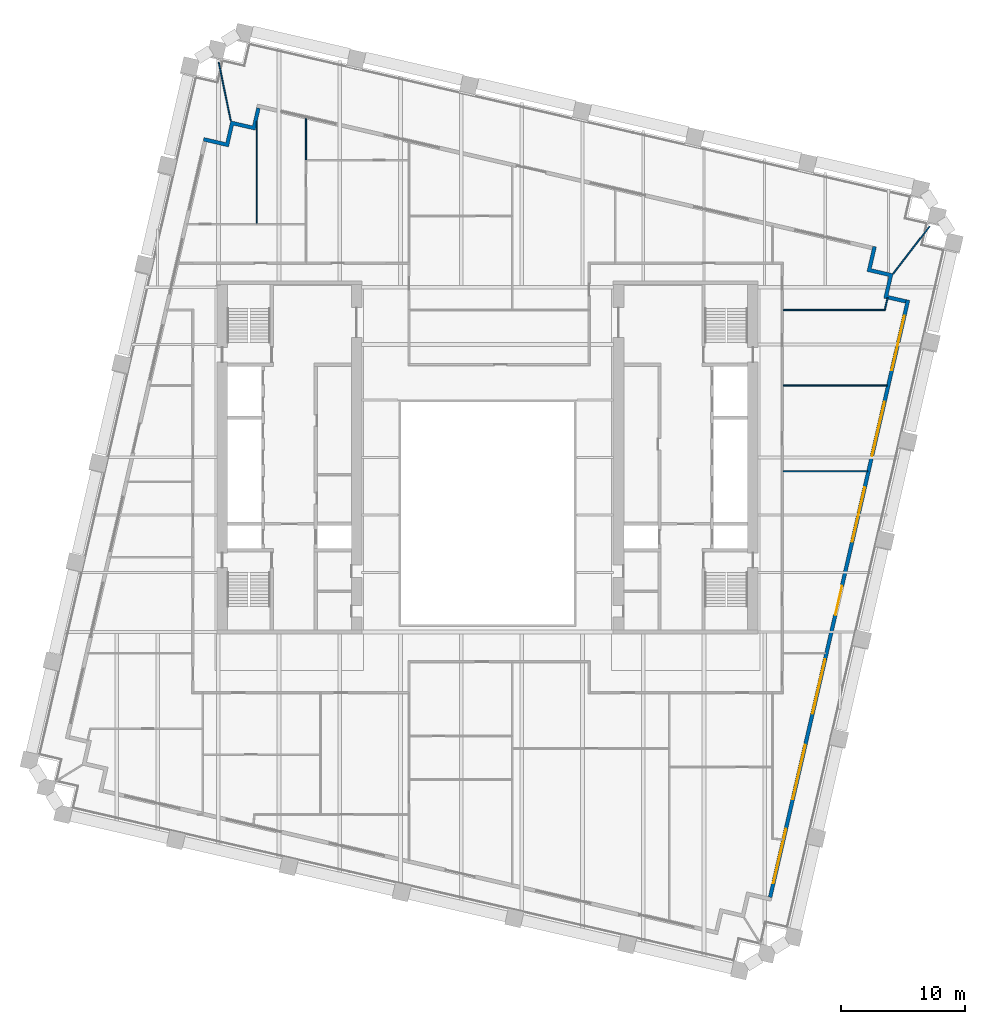
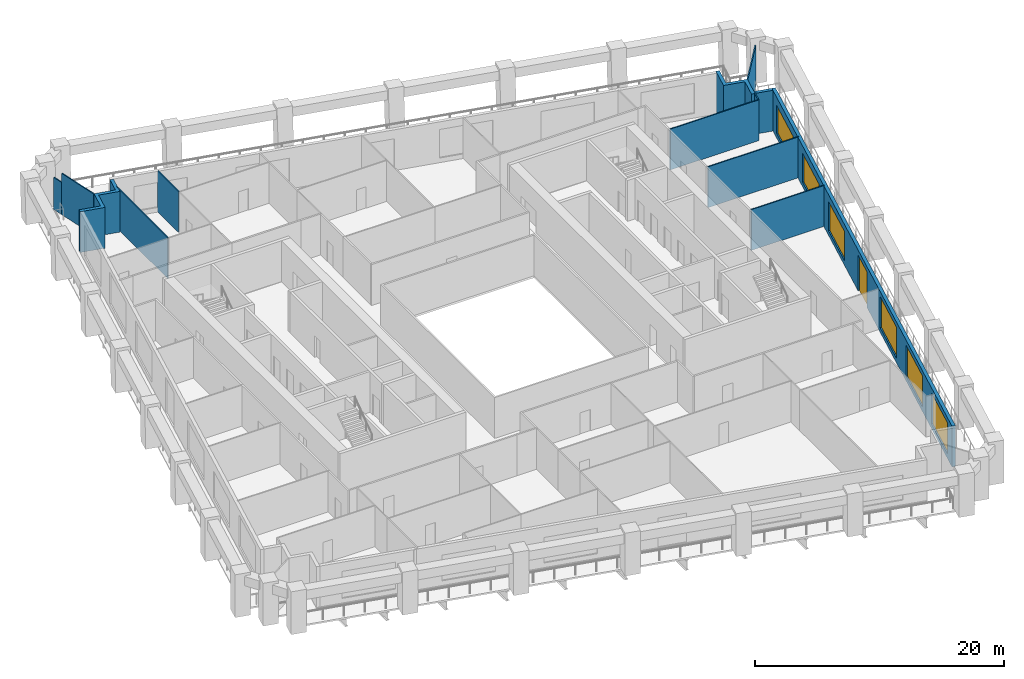
# One storey, part 9 of 12: 12 walls, 6 windows, 1 door, 7 openings.
"""IFC4 building model written with IfcOpenShell, lengths in metres."""

from ifc_helpers import new_model, si_unit, direction, frame, frame_2d, origin, place, context, subcontext, project, spatial, polyline, rectangle, outline, extrude, material, layer, layer_set, type_object, element, fill, save


model = new_model("IFC4")

# Units and contexts
model_context = context("Model", 3, precision=1e-05, world=origin(), true_north=direction((0.0, 1.0)))
body_context = subcontext(model_context, "Body", "Model", "MODEL_VIEW")
ifc_project = project(units=[si_unit("LENGTHUNIT", "METRE"), si_unit("AREAUNIT", "SQUARE_METRE"), si_unit("VOLUMEUNIT", "CUBIC_METRE"), si_unit("PLANEANGLEUNIT", "RADIAN"), si_unit("MASSUNIT", "GRAM", prefix="KILO")], contexts=[model_context])

# Site, building, storey
site_placement = place(None, origin())
site = spatial("IfcSite", under=ifc_project, at=site_placement, CompositionType="ELEMENT")
building_placement = place(site_placement, origin())
building = spatial("IfcBuilding", under=site, at=building_placement, Name="Ogive Exchange Tower", CompositionType="ELEMENT")
storey_placement = place(building_placement, frame((0.0, 0.0, 130.800048828125)))
storey = spatial("IfcBuildingStorey", under=building, at=storey_placement, Name="L28", CompositionType="ELEMENT", Elevation=130.800048828125)

# Wall, openings, door, windows
ifc_material_1 = material(Name="Precast concrete C40/50", Category="concrete")
ifc_layer_1 = layer(ifc_material_1, 0.300048828125)
ifc_layer_set_1 = layer_set([ifc_layer_1], Name="Limestone-faced wall 300")
wall_type_1 = type_object("IfcWallType", Name="Limestone-faced wall 300", PredefinedType="STANDARD", material=ifc_layer_set_1)
wall_1_placement = place(storey_placement, frame((22.8203125, -24.015625, 0.0), z_axis=(0.0, 0.0, 1.0), x_axis=(0.224953880882, 0.974369412223, 0.0)))
wall_1 = element("IfcWall", 1, at=wall_1_placement, inside=storey, type_object=wall_type_1, Name="External wall E2", PredefinedType="STANDARD", context=body_context, shape_type="SweptSolid", body=[
    extrude(rectangle(XDim=49.500244140625, YDim=0.300048828125, at=frame_2d((24.75, 0.0))), origin(), (0.0, 0.0, 1.0), 4.0),
])
opening_1_placement = place(wall_1_placement, frame((1.156982421875, 0.0, 0.449951171875)))
opening_1 = element("IfcOpeningElement", 2, at=opening_1_placement, cuts=wall_1, Name="Opening W1", PredefinedType="OPENING", context=body_context, shape_type="SweptSolid", body=[
    extrude(rectangle(XDim=4.5, YDim=3.050048828125, at=frame_2d((2.25, 1.52490234375))), frame((0.0, 0.159912109375, 0.0), z_axis=(0.0, -1.0, 0.0), x_axis=(1.0, 0.0, 0.0)), (0.0, 0.0, 1.0), 0.320068359375),
])
opening_2_placement = place(wall_1_placement, frame((8.121337890625, 0.0, 0.449951171875)))
opening_2 = element("IfcOpeningElement", 3, at=opening_2_placement, cuts=wall_1, Name="Opening W1", PredefinedType="OPENING", context=body_context, shape_type="SweptSolid", body=[
    extrude(rectangle(XDim=4.5, YDim=3.050048828125, at=frame_2d((2.25, 1.52490234375))), frame((0.0, 0.159912109375, 0.0), z_axis=(0.0, -1.0, 0.0), x_axis=(1.0, 0.0, 0.0)), (0.0, 0.0, 1.0), 0.320068359375),
])
opening_3_placement = place(wall_1_placement, frame((15.235595703125, 0.0, 0.449951171875)))
opening_3 = element("IfcOpeningElement", 4, at=opening_3_placement, cuts=wall_1, Name="Opening W1", PredefinedType="OPENING", context=body_context, shape_type="SweptSolid", body=[
    extrude(rectangle(XDim=4.5, YDim=3.050048828125, at=frame_2d((2.25, 1.52490234375))), frame((0.0, 0.159912109375, 0.0), z_axis=(0.0, -1.0, 0.0), x_axis=(1.0, 0.0, 0.0)), (0.0, 0.0, 1.0), 0.320068359375),
])
opening_4_placement = place(wall_1_placement, frame((23.39990234375, 0.0, 0.0)))
opening_4 = element("IfcOpeningElement", 5, at=opening_4_placement, cuts=wall_1, Name="Opening D1", PredefinedType="OPENING", context=body_context, shape_type="SweptSolid", body=[
    extrude(rectangle(XDim=2.39990234375, YDim=3.5, at=frame_2d((1.199951171875, 1.75))), frame((0.0, 0.159912109375, 0.0), z_axis=(0.0, -1.0, 0.0), x_axis=(1.0, 0.0, 0.0)), (0.0, 0.0, 1.0), 0.320068359375),
])
opening_5_placement = place(wall_1_placement, frame((29.464111328125, 0.0, 0.449951171875)))
opening_5 = element("IfcOpeningElement", 6, at=opening_5_placement, cuts=wall_1, Name="Opening W1D", PredefinedType="OPENING", context=body_context, shape_type="SweptSolid", body=[
    extrude(rectangle(XDim=4.5, YDim=2.875, at=frame_2d((2.25, 1.4375))), frame((0.0, 0.159912109375, 0.0), z_axis=(0.0, -1.0, 0.0), x_axis=(1.0, 0.0, 0.0)), (0.0, 0.0, 1.0), 0.320068359375),
])
opening_6_placement = place(wall_1_placement, frame((36.57861328125, 0.0, 0.449951171875)))
opening_6 = element("IfcOpeningElement", 7, at=opening_6_placement, cuts=wall_1, Name="Opening W1E", PredefinedType="OPENING", context=body_context, shape_type="SweptSolid", body=[
    extrude(rectangle(XDim=4.5, YDim=2.824951171875, at=frame_2d((2.25, 1.41259765625))), frame((0.0, 0.159912109375, 0.0), z_axis=(0.0, -1.0, 0.0), x_axis=(1.0, 0.0, 0.0)), (0.0, 0.0, 1.0), 0.320068359375),
])
opening_7_placement = place(wall_1_placement, frame((43.69287109375, 0.0, 0.449951171875)))
opening_7 = element("IfcOpeningElement", 8, at=opening_7_placement, cuts=wall_1, Name="Opening W1H", PredefinedType="OPENING", context=body_context, shape_type="SweptSolid", body=[
    extrude(rectangle(XDim=4.5, YDim=2.75, at=frame_2d((2.25, 1.375))), frame((0.0, 0.159912109375, 0.0), z_axis=(0.0, -1.0, 0.0), x_axis=(1.0, 0.0, 0.0)), (0.0, 0.0, 1.0), 0.320068359375),
])
ifc_material_2 = material(Name="Clear glass in bronze frame", Category="glass")
door_type = type_object("IfcDoorType", Name="Sliding loggia door 2400 x 3500", OperationType="DOUBLE_DOOR_SLIDING", PredefinedType="DOOR", material=ifc_material_2)
door_placement = place(opening_4_placement, origin())
door = element("IfcDoor", 9, at=door_placement, inside=storey, type_object=door_type, Name="Loggia door E03", OperationType="DOUBLE_DOOR_SLIDING", OverallHeight=3.5, OverallWidth=2.39990234375, PredefinedType="DOOR", context=body_context, shape_type="SweptSolid", body=[
    extrude(rectangle(XDim=2.39990234375, YDim=3.5, at=frame_2d((1.199951171875, 1.75))), frame((0.0, 0.02490234375, 0.0), z_axis=(0.0, -1.0, 0.0), x_axis=(1.0, 0.0, 0.0)), (0.0, 0.0, 1.0), 0.050048828125),
])
fill(opening_4, door)
window_type_1 = type_object("IfcWindowType", Name="Twin lancet window 4500 x 2750", PartitioningType="DOUBLE_PANEL_VERTICAL", PredefinedType="WINDOW", material=ifc_material_2)
window_1_placement = place(opening_7_placement, origin())
window_1 = element("IfcWindow", 10, at=window_1_placement, inside=storey, type_object=window_type_1, Name="Window E06", OverallHeight=2.75, OverallWidth=4.5, PartitioningType="DOUBLE_PANEL_VERTICAL", PredefinedType="WINDOW", context=body_context, shape_type="SweptSolid", body=[
    extrude(rectangle(XDim=4.5, YDim=2.75, at=frame_2d((2.25, 1.375))), frame((0.0, 0.030029296875, 0.0), z_axis=(0.0, -1.0, 0.0), x_axis=(1.0, 0.0, 0.0)), (0.0, 0.0, 1.0), 0.06005859375),
])
fill(opening_7, window_1)
window_type_2 = type_object("IfcWindowType", Name="Twin lancet window 4500 x 2825", PartitioningType="DOUBLE_PANEL_VERTICAL", PredefinedType="WINDOW", material=ifc_material_2)
window_2_placement = place(opening_6_placement, origin())
window_2 = element("IfcWindow", 11, at=window_2_placement, inside=storey, type_object=window_type_2, Name="Window E05", OverallHeight=2.824951171875, OverallWidth=4.5, PartitioningType="DOUBLE_PANEL_VERTICAL", PredefinedType="WINDOW", context=body_context, shape_type="SweptSolid", body=[
    extrude(rectangle(XDim=4.5, YDim=2.824951171875, at=frame_2d((2.25, 1.41259765625))), frame((0.0, 0.030029296875, 0.0), z_axis=(0.0, -1.0, 0.0), x_axis=(1.0, 0.0, 0.0)), (0.0, 0.0, 1.0), 0.06005859375),
])
fill(opening_6, window_2)
window_type_3 = type_object("IfcWindowType", Name="Twin lancet window 4500 x 2875", PartitioningType="DOUBLE_PANEL_VERTICAL", PredefinedType="WINDOW", material=ifc_material_2)
window_3_placement = place(opening_5_placement, origin())
window_3 = element("IfcWindow", 12, at=window_3_placement, inside=storey, type_object=window_type_3, Name="Window E04", OverallHeight=2.875, OverallWidth=4.5, PartitioningType="DOUBLE_PANEL_VERTICAL", PredefinedType="WINDOW", context=body_context, shape_type="SweptSolid", body=[
    extrude(rectangle(XDim=4.5, YDim=2.875, at=frame_2d((2.25, 1.4375))), frame((0.0, 0.030029296875, 0.0), z_axis=(0.0, -1.0, 0.0), x_axis=(1.0, 0.0, 0.0)), (0.0, 0.0, 1.0), 0.06005859375),
])
fill(opening_5, window_3)
window_type_4 = type_object("IfcWindowType", Name="Twin lancet window 4500 x 3050", PartitioningType="DOUBLE_PANEL_VERTICAL", PredefinedType="WINDOW", material=ifc_material_2)
window_4_placement = place(opening_1_placement, origin())
window_4 = element("IfcWindow", 13, at=window_4_placement, inside=storey, type_object=window_type_4, Name="Window E00", OverallHeight=3.050048828125, OverallWidth=4.5, PartitioningType="DOUBLE_PANEL_VERTICAL", PredefinedType="WINDOW", context=body_context, shape_type="SweptSolid", body=[
    extrude(rectangle(XDim=4.5, YDim=3.050048828125, at=frame_2d((2.25, 1.52490234375))), frame((0.0, 0.030029296875, 0.0), z_axis=(0.0, -1.0, 0.0), x_axis=(1.0, 0.0, 0.0)), (0.0, 0.0, 1.0), 0.06005859375),
])
fill(opening_1, window_4)
window_5_placement = place(opening_2_placement, origin())
window_5 = element("IfcWindow", 14, at=window_5_placement, inside=storey, type_object=window_type_4, Name="Window E01", OverallHeight=3.050048828125, OverallWidth=4.5, PartitioningType="DOUBLE_PANEL_VERTICAL", PredefinedType="WINDOW", context=body_context, shape_type="SweptSolid", body=[
    extrude(rectangle(XDim=4.5, YDim=3.050048828125, at=frame_2d((2.25, 1.52490234375))), frame((0.0, 0.030029296875, 0.0), z_axis=(0.0, -1.0, 0.0), x_axis=(1.0, 0.0, 0.0)), (0.0, 0.0, 1.0), 0.06005859375),
])
fill(opening_2, window_5)
window_6_placement = place(opening_3_placement, origin())
window_6 = element("IfcWindow", 15, at=window_6_placement, inside=storey, type_object=window_type_4, Name="Window E02", OverallHeight=3.050048828125, OverallWidth=4.5, PartitioningType="DOUBLE_PANEL_VERTICAL", PredefinedType="WINDOW", context=body_context, shape_type="SweptSolid", body=[
    extrude(rectangle(XDim=4.5, YDim=3.050048828125, at=frame_2d((2.25, 1.52490234375))), frame((0.0, 0.030029296875, 0.0), z_axis=(0.0, -1.0, 0.0), x_axis=(1.0, 0.0, 0.0)), (0.0, 0.0, 1.0), 0.06005859375),
])
fill(opening_3, window_6)

# Walls
wall_2_placement = place(storey_placement, origin())
element("IfcWall", 16, at=wall_2_placement, inside=storey, type_object=wall_type_1, Name="External corner wall C2", PredefinedType="STANDARD", context=body_context, shape_type="SweptSolid", body=[
    extrude(outline(polyline([(32.392822265625, 26.115966796875), (30.638916015625, 26.52099609375), (31.111328125, 28.56689453125), (31.40380859375, 28.49951171875), (30.998779296875, 26.74560546875), (32.752685546875, 26.3408203125), (32.34765625, 24.5869140625), (33.809326171875, 24.24951171875), (33.74169921875, 23.957275390625), (31.98779296875, 24.362060546875), (32.392822265625, 26.115966796875)])), origin(), (0.0, 0.0, 1.0), 4.0),
])
wall_3_placement = place(storey_placement, origin())
element("IfcWall", 17, at=wall_3_placement, inside=storey, type_object=wall_type_1, Name="External corner wall C3", PredefinedType="STANDARD", context=body_context, shape_type="SweptSolid", body=[
    extrude(outline(polyline([(-22.966552734375, 37.04931640625), (-22.89892578125, 37.341552734375), (-21.145263671875, 36.936767578125), (-20.740234375, 38.690673828125), (-18.986328125, 38.28564453125), (-18.64892578125, 39.747314453125), (-18.356689453125, 39.6796875), (-18.76171875, 37.92578125), (-20.515380859375, 38.330810546875), (-20.92041015625, 36.576904296875), (-22.966552734375, 37.04931640625)])), origin(), (0.0, 0.0, 1.0), 4.0),
])
ifc_material_3 = material(Name="Laminated safety glass in steel frame", Category="steel")
ifc_layer_2 = layer(ifc_material_3, 0.10009765625)
ifc_layer_set_2 = layer_set([ifc_layer_2], Name="Loggia end screen 100")
wall_type_2 = type_object("IfcWallType", Name="Loggia end screen 100", PredefinedType="STANDARD", material=ifc_layer_set_2)
wall_4_placement = place(storey_placement, frame((32.752685546875, 26.3408203125, -0.050048828125), z_axis=(0.0, 0.0, 1.0), x_axis=(0.610481388074, 0.792030602196, 0.0)))
element("IfcWall", 18, at=wall_4_placement, inside=storey, type_object=wall_type_2, Name="Loggia end screen C2", PredefinedType="STANDARD", context=body_context, shape_type="SweptSolid", body=[
    extrude(rectangle(XDim=4.821044921875, YDim=0.10009765625, at=frame_2d((2.41064453125, 0.0))), origin(), (0.0, 0.0, 1.0), 4.050048828125),
])
wall_5_placement = place(storey_placement, frame((-20.740234375, 38.690673828125, -0.050048828125), z_axis=(0.0, 0.0, 1.0), x_axis=(-0.201477998796, 0.979493040302, 0.0)))
element("IfcWall", 19, at=wall_5_placement, inside=storey, type_object=wall_type_2, Name="Loggia end screen C3", PredefinedType="STANDARD", context=body_context, shape_type="SweptSolid", body=[
    extrude(rectangle(XDim=3.859375, YDim=0.10009765625, at=frame_2d((1.9296875, 0.0))), origin(), (0.0, 0.0, 1.0), 4.050048828125),
])
wall_6_placement = place(storey_placement, frame((-21.517822265625, 42.470947265625, -0.050048828125), z_axis=(0.0, 0.0, 1.0), x_axis=(-0.201631424959, 0.979461468598, 0.0)))
element("IfcWall", 20, at=wall_6_placement, inside=storey, type_object=wall_type_2, Name="Loggia end screen C3", PredefinedType="STANDARD", context=body_context, shape_type="SweptSolid", body=[
    extrude(rectangle(XDim=0.96142578125, YDim=0.10009765625, at=frame_2d((0.480712890625, 0.0))), origin(), (0.0, 0.0, 1.0), 3.14599609375),
])
ifc_material_4 = material(Name="Partition 100 gypsum")
ifc_layer_3 = layer(ifc_material_4, 0.10009765625)
ifc_layer_set_3 = layer_set([ifc_layer_3], Name="Partition 100 gypsum")
wall_type_3 = type_object("IfcWallType", Name="Partition 100 gypsum", PredefinedType="PARTITIONING", material=ifc_layer_set_3)
wall_7_placement = place(storey_placement, frame((-18.64990234375, 30.389892578125, 0.0), z_axis=(0.0, 0.0, 1.0), x_axis=(0.0, 1.0, 0.0)))
element("IfcWall", 21, at=wall_7_placement, inside=storey, type_object=wall_type_3, Name="L28-PWL-024", PredefinedType="PARTITIONING", context=body_context, shape_type="SweptSolid", body=[
    extrude(rectangle(XDim=8.26416015625, YDim=0.10009765625, at=frame_2d((4.132080078125, 0.0))), origin(), (0.0, 0.0, 1.0), 4.0),
])
wall_8_placement = place(storey_placement, frame((-14.669921875, 35.550048828125, 0.0), z_axis=(0.0, 0.0, 1.0), x_axis=(0.0, 1.0, 0.0)))
element("IfcWall", 22, at=wall_8_placement, inside=storey, type_object=wall_type_3, Name="L28-PWL-029", PredefinedType="PARTITIONING", context=body_context, shape_type="SweptSolid", body=[
    extrude(rectangle(XDim=3.36083984375, YDim=0.10009765625, at=frame_2d((1.680419921875, 0.0))), origin(), (0.0, 0.0, 1.0), 4.0),
])
wall_9_placement = place(storey_placement, frame((23.875, 10.389892578125, 0.0), z_axis=(0.0, 0.0, 1.0), x_axis=(1.0, 0.0, 0.0)))
element("IfcWall", 23, at=wall_9_placement, inside=storey, type_object=wall_type_3, Name="L28-PWL-084", PredefinedType="PARTITIONING", context=body_context, shape_type="SweptSolid", body=[
    extrude(rectangle(XDim=6.81689453125, YDim=0.10009765625, at=frame_2d((3.408447265625, 0.0))), origin(), (0.0, 0.0, 1.0), 4.0),
])
wall_10_placement = place(storey_placement, frame((23.875, 17.320068359375, 0.0), z_axis=(0.0, 0.0, 1.0), x_axis=(1.0, 0.0, 0.0)))
element("IfcWall", 24, at=wall_10_placement, inside=storey, type_object=wall_type_3, Name="L28-PWL-086", PredefinedType="PARTITIONING", context=body_context, shape_type="SweptSolid", body=[
    extrude(rectangle(XDim=8.4169921875, YDim=0.10009765625, at=frame_2d((4.20849609375, 0.0))), origin(), (0.0, 0.0, 1.0), 4.0),
])
wall_11_placement = place(storey_placement, frame((23.875, 23.409912109375, 0.0), z_axis=(0.0, 0.0, 1.0), x_axis=(1.0, 0.0, 0.0)))
element("IfcWall", 25, at=wall_11_placement, inside=storey, type_object=wall_type_3, Name="L28-PWL-088", PredefinedType="PARTITIONING", context=body_context, shape_type="SweptSolid", body=[
    extrude(rectangle(XDim=8.2548828125, YDim=0.10009765625, at=frame_2d((4.12744140625, 0.0))), origin(), (0.0, 0.0, 1.0), 4.0),
])
wall_12_placement = place(storey_placement, frame((32.091064453125, 23.458984375, 0.0), z_axis=(0.0, 0.0, 1.0), x_axis=(0.223406444343, 0.97472537703, 0.0)))
element("IfcWall", 26, at=wall_12_placement, inside=storey, type_object=wall_type_3, Name="L28-PWL-090", PredefinedType="PARTITIONING", context=body_context, shape_type="SweptSolid", body=[
    extrude(rectangle(XDim=0.957275390625, YDim=0.10009765625, at=frame_2d((0.478515625, 0.0))), origin(), (0.0, 0.0, 1.0), 4.0),
])

save(model, "model.ifc")
